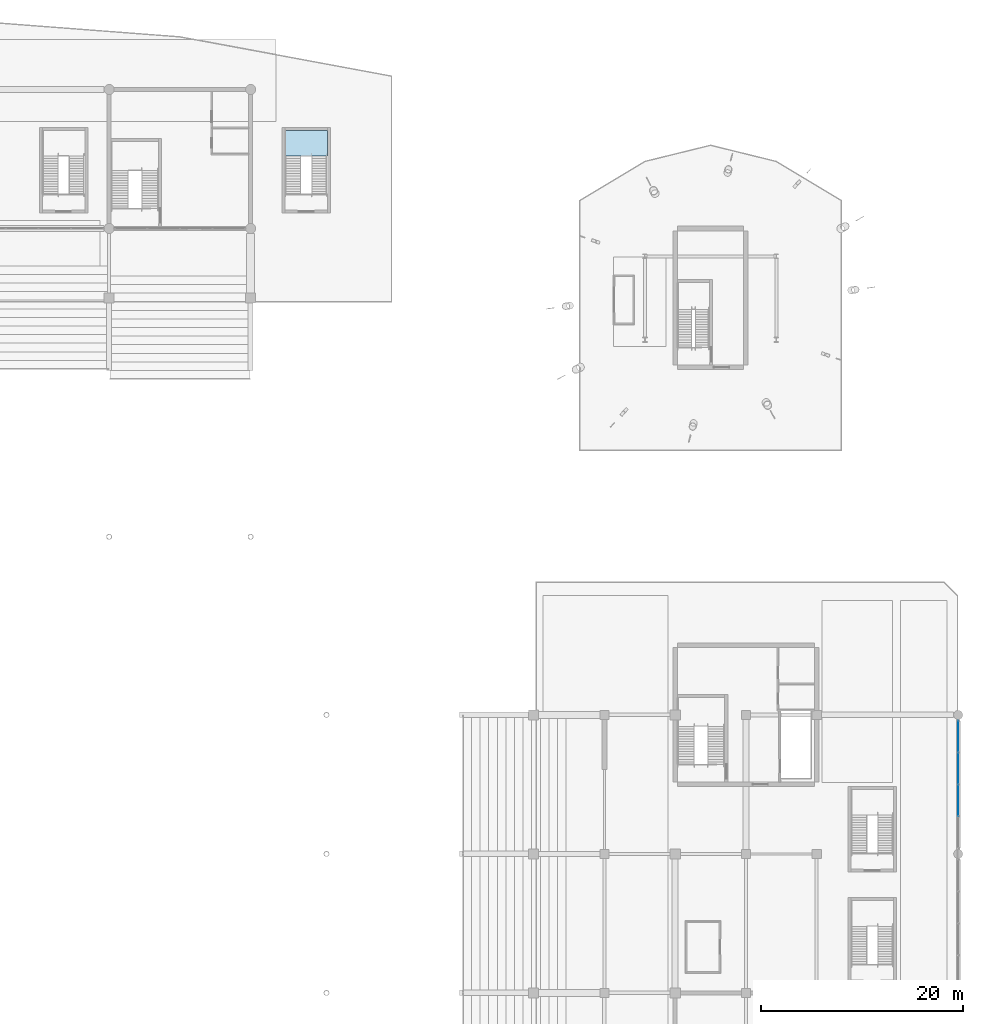
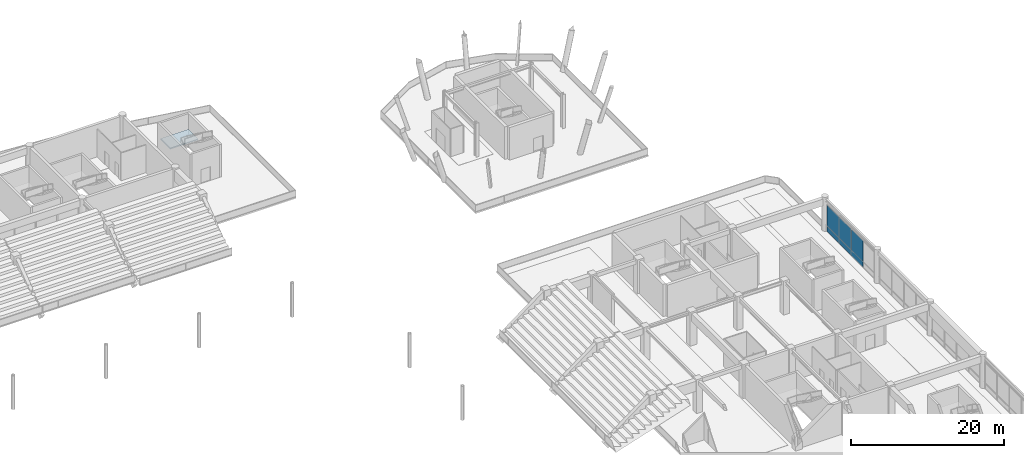
# One storey, part 81 of 117: 6 plates, 1 slab, 2 elements without a shape of their own.
"""IFC4 building model written with IfcOpenShell, lengths in metres."""

from ifc_helpers import new_model, si_unit, direction, frame, origin, origin_2d, place, context, subcontext, project, spatial, polyline, rectangle, outline, extrude, material, layer, layer_set, type_object, element, aggregate, save


model = new_model("IFC4")

# Units and contexts
model_context = context("Model", 3, precision=1e-05, world=origin(), true_north=direction((0.0, 1.0)))
body_context = subcontext(model_context, "Body", "Model", "MODEL_VIEW")
ifc_project = project(units=[si_unit("LENGTHUNIT", "METRE"), si_unit("AREAUNIT", "SQUARE_METRE"), si_unit("VOLUMEUNIT", "CUBIC_METRE"), si_unit("PLANEANGLEUNIT", "RADIAN"), si_unit("MASSUNIT", "GRAM", prefix="KILO")], contexts=[model_context])

# Site, building, storey
site_placement = place(None, origin())
site = spatial("IfcSite", under=ifc_project, at=site_placement, CompositionType="ELEMENT")
building_placement = place(site_placement, origin())
building = spatial("IfcBuilding", under=site, at=building_placement, Name="Linyun Crest Stadium", CompositionType="ELEMENT")
storey_placement = place(building_placement, frame((0.0, 0.0, 6.0)))
storey = spatial("IfcBuildingStorey", under=building, at=storey_placement, Name="L02", CompositionType="ELEMENT", Elevation=6.0)

# Curtain wall, plates
ifc_material_1 = material(Name="Verdigris steel and low-E curtain wall assembly", Category="steel")
curtain_wall_type = type_object("IfcCurtainWallType", Name="MCW01", PredefinedType="NOTDEFINED", material=ifc_material_1)
curtain_wall_placement = place(storey_placement, origin())
curtain_wall = element("IfcCurtainWall", 1, at=curtain_wall_placement, inside=storey, type_object=curtain_wall_type, Name="CWR-123", PredefinedType="NOTDEFINED")
ifc_material_2 = material(Name="Double silver low-E insulated glass", Category="glass")
ifc_layer_1 = layer(ifc_material_2, 0.02587890625)
ifc_layer_set_1 = layer_set([ifc_layer_1], Name="Double silver low-E insulated glass")
plate_type_1 = type_object("IfcPlateType", Name="GP01", PredefinedType="CURTAIN_PANEL", material=ifc_layer_set_1)
plate_1_placement = place(storey_placement, frame((98.0, 34.9189453125, 0.9248046875), z_axis=(0.0, 0.0, 1.0), x_axis=(0.0, 1.0, 0.0)))
plate_1 = element("IfcPlate", 2, at=plate_1_placement, type_object=plate_type_1, Name="CWR-123 panel 2.2", PredefinedType="CURTAIN_PANEL", context=body_context, shape_type="SweptSolid", body=[
    extrude(rectangle(XDim=3.112548828125, YDim=0.02587890625, at=origin_2d()), origin(), (0.0, 0.0, 1.0), 3.300048828125),
])
plate_2_placement = place(storey_placement, frame((98.0, 38.0810546875, 0.9248046875), z_axis=(0.0, 0.0, 1.0), x_axis=(0.0, 1.0, 0.0)))
plate_2 = element("IfcPlate", 3, at=plate_2_placement, type_object=plate_type_1, Name="CWR-123 panel 3.2", PredefinedType="CURTAIN_PANEL", context=body_context, shape_type="SweptSolid", body=[
    extrude(rectangle(XDim=3.112548828125, YDim=0.02587890625, at=origin_2d()), origin(), (0.0, 0.0, 1.0), 3.300048828125),
])
plate_3_placement = place(storey_placement, frame((98.0, 41.243896484375, 0.9248046875), z_axis=(0.0, 0.0, 1.0), x_axis=(0.0, 1.0, 0.0)))
plate_3 = element("IfcPlate", 4, at=plate_3_placement, type_object=plate_type_1, Name="CWR-123 panel 4.2", PredefinedType="CURTAIN_PANEL", context=body_context, shape_type="SweptSolid", body=[
    extrude(rectangle(XDim=3.112548828125, YDim=0.02587890625, at=origin_2d()), origin(), (0.0, 0.0, 1.0), 3.300048828125),
])

# Stair, slab
ifc_material_3 = material(Name="Concrete C40", Category="concrete")
stair_type = type_object("IfcStairType", Name="STA02", PredefinedType="HALF_TURN_STAIR", material=ifc_material_3)
stair_placement = place(storey_placement, origin())
stair = element("IfcStair", 5, at=stair_placement, inside=storey, type_object=stair_type, Name="Vomitory evacuation stair STR-26-L02", PredefinedType="HALF_TURN_STAIR")
ifc_material_4 = material(Name="Concrete C40", Category="concrete")
ifc_layer_2 = layer(ifc_material_4, 0.179931640625)
ifc_layer_set_2 = layer_set([ifc_layer_2], Name="Concrete C40")
slab_type = type_object("IfcSlabType", Name="LS01", PredefinedType="LANDING", material=ifc_layer_set_2)
slab_placement = place(storey_placement, frame((0.0, 0.0, 2.52001953125)))
slab = element("IfcSlab", 6, at=slab_placement, type_object=slab_type, Name="STR-26-L02 half-landing", PredefinedType="LANDING", context=body_context, shape_type="SweptSolid", body=[
    extrude(outline(polyline([(31.39990234375, 98.669921875), (35.60009765625, 98.669921875), (35.60009765625, 101.199951171875), (31.39990234375, 101.199951171875), (31.39990234375, 98.669921875)])), origin(), (0.0, 0.0, 1.0), 0.179931640625),
])
aggregate(stair, [slab])

# Plate
ifc_material_5 = material(Name="Celadon glazed ceramic faience insulated spandrel")
ifc_layer_3 = layer(ifc_material_5, 0.0419921875)
ifc_layer_set_3 = layer_set([ifc_layer_3], Name="Celadon glazed ceramic faience insulated spandrel")
plate_type_2 = type_object("IfcPlateType", Name="SP01", PredefinedType="SHEET", material=ifc_layer_set_3)
plate_4_placement = place(storey_placement, frame((98.0, 34.9189453125, 0.02490234375), z_axis=(0.0, 0.0, 1.0), x_axis=(0.0, 1.0, 0.0)))
plate_4 = element("IfcPlate", 7, at=plate_4_placement, type_object=plate_type_2, Name="CWR-123 panel 2.1", PredefinedType="SHEET", context=body_context, shape_type="SweptSolid", body=[
    extrude(rectangle(XDim=3.112548828125, YDim=0.0419921875, at=origin_2d()), origin(), (0.0, 0.0, 1.0), 0.85009765625),
])

plate_5_placement = place(storey_placement, frame((98.0, 38.0810546875, 0.02490234375), z_axis=(0.0, 0.0, 1.0), x_axis=(0.0, 1.0, 0.0)))
plate_5 = element("IfcPlate", 8, at=plate_5_placement, type_object=plate_type_2, Name="CWR-123 panel 3.1", PredefinedType="SHEET", context=body_context, shape_type="SweptSolid", body=[
    extrude(rectangle(XDim=3.112548828125, YDim=0.0419921875, at=origin_2d()), origin(), (0.0, 0.0, 1.0), 0.85009765625),
])

plate_6_placement = place(storey_placement, frame((98.0, 41.243896484375, 0.02490234375), z_axis=(0.0, 0.0, 1.0), x_axis=(0.0, 1.0, 0.0)))
plate_6 = element("IfcPlate", 9, at=plate_6_placement, type_object=plate_type_2, Name="CWR-123 panel 4.1", PredefinedType="SHEET", context=body_context, shape_type="SweptSolid", body=[
    extrude(rectangle(XDim=3.112548828125, YDim=0.0419921875, at=origin_2d()), origin(), (0.0, 0.0, 1.0), 0.85009765625),
])

aggregate(curtain_wall, [plate_4, plate_1, plate_5, plate_2, plate_6, plate_3])

save(model, "model.ifc")
